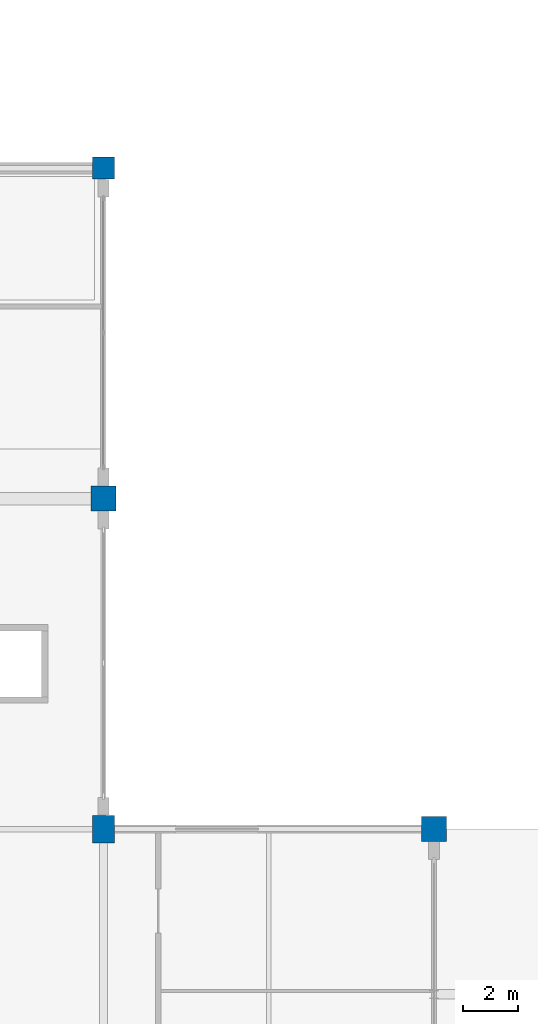
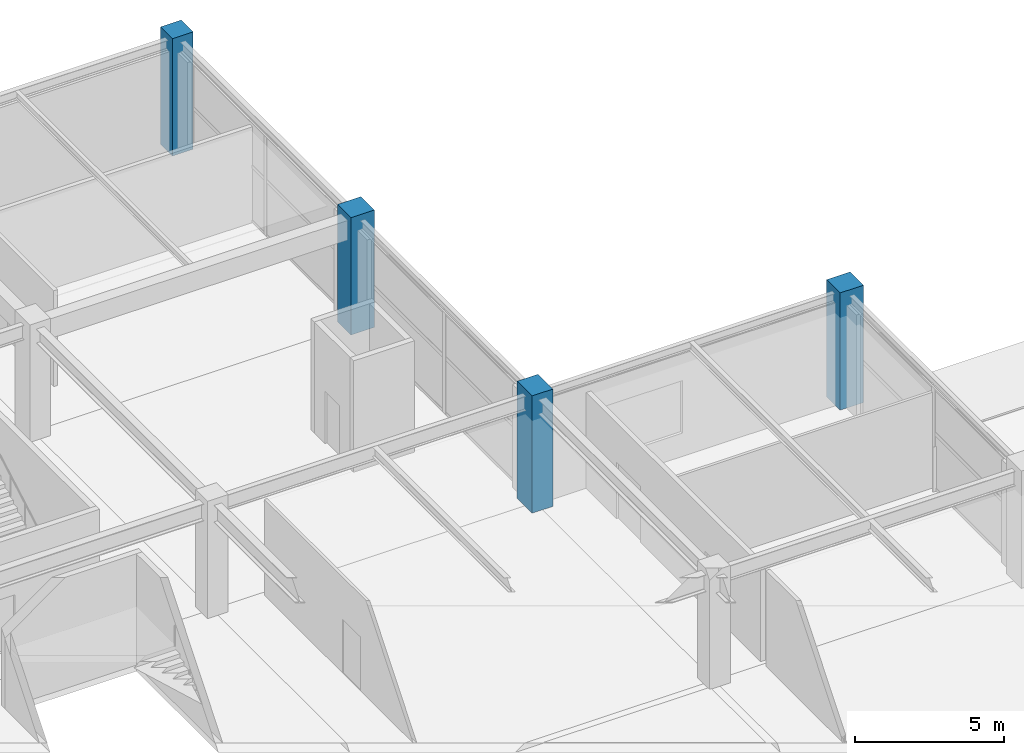
# One storey, part 4 of 134: 4 columns.
"""IFC4 building model written with IfcOpenShell, lengths in metres."""

from ifc_helpers import new_model, si_unit, direction, frame, origin, origin_2d, place, context, subcontext, project, spatial, rectangle, extrude, material, material_profile, profile_set, type_object, element, save


model = new_model("IFC4")

# Units and contexts
model_context = context("Model", 3, precision=1e-05, world=origin(), true_north=direction((0.0, 1.0)))
body_context = subcontext(model_context, "Body", "Model", "MODEL_VIEW")
ifc_project = project(units=[si_unit("LENGTHUNIT", "METRE"), si_unit("AREAUNIT", "SQUARE_METRE"), si_unit("VOLUMEUNIT", "CUBIC_METRE"), si_unit("PLANEANGLEUNIT", "RADIAN"), si_unit("MASSUNIT", "GRAM", prefix="KILO")], contexts=[model_context])

# Site, building, storey
site_placement = place(None, origin())
site = spatial("IfcSite", under=ifc_project, at=site_placement, CompositionType="ELEMENT")
building_placement = place(site_placement, origin())
building = spatial("IfcBuilding", under=site, at=building_placement, Name="Kazenohara Klinker Stadium", CompositionType="ELEMENT")
storey_placement = place(building_placement, frame((0.0, 0.0, 5.39990234375)))
storey = spatial("IfcBuildingStorey", under=building, at=storey_placement, Name="L01", CompositionType="ELEMENT", Elevation=5.39990234375)

# Columns
ifc_material = material(Name="Concrete C40/50", Category="concrete")
ifc_material_profile_1 = material_profile(ifc_material, rectangle(XDim=0.800048828125, YDim=1.0, at=origin_2d()), Name="RC-COL-1000x800")
ifc_profile_set_1 = profile_set([ifc_material_profile_1], Name="Concrete C40/50")
column_type_1 = type_object("IfcColumnType", Name="COL-RC03", PredefinedType="COLUMN", material=ifc_profile_set_1)
column_1_placement = place(storey_placement, frame((200.0, 132.0, 0.0), z_axis=(0.0, 0.0, 1.0), x_axis=(1.0, 0.0, 0.0)))
element("IfcColumn", 1, at=column_1_placement, inside=storey, type_object=column_type_1, Name="Column C03 L01 17/M", PredefinedType="COLUMN", context=body_context, shape_type="SweptSolid", body=[
    extrude(rectangle(XDim=0.800048828125, YDim=1.0, at=origin_2d()), origin(), (0.0, 0.0, 1.0), 4.800048828125),
])
ifc_material_profile_2 = material_profile(ifc_material, rectangle(XDim=0.89990234375, YDim=0.89990234375, at=origin_2d()), Name="RC-COL-900x900")
ifc_profile_set_2 = profile_set([ifc_material_profile_2], Name="Concrete C40/50")
column_type_2 = type_object("IfcColumnType", Name="COL-RC04", PredefinedType="COLUMN", material=ifc_profile_set_2)
for number, where, z_axis, x_axis, name in (
    (2, (200.0, 144.0, 0.0), (0.0, 0.0, 1.0), (1.0, 0.0, 0.0), "Column C04 L01 17/N"),
    (3, (212.0, 132.0, 0.0), (0.0, 0.0, 1.0), (1.0, 0.0, 0.0), "Column C04 L01 18/M"),
):
    element("IfcColumn", number, at=place(storey_placement, frame(where, z_axis=z_axis, x_axis=x_axis)), inside=storey, type_object=column_type_2, Name=name, PredefinedType="COLUMN", context=body_context, shape_type="SweptSolid", body=[
        extrude(rectangle(XDim=0.89990234375, YDim=0.89990234375, at=origin_2d()), origin(), (0.0, 0.0, 1.0), 4.800048828125),
    ])
ifc_material_profile_3 = material_profile(ifc_material, rectangle(XDim=0.800048828125, YDim=0.800048828125, at=origin_2d()), Name="RC-COL-800x800")
ifc_profile_set_3 = profile_set([ifc_material_profile_3], Name="Concrete C40/50")
column_type_3 = type_object("IfcColumnType", Name="COL-RC05", PredefinedType="COLUMN", material=ifc_profile_set_3)
column_2_placement = place(storey_placement, frame((200.0, 156.0, 0.0), z_axis=(0.0, 0.0, 1.0), x_axis=(1.0, 0.0, 0.0)))
element("IfcColumn", 4, at=column_2_placement, inside=storey, type_object=column_type_3, Name="Column C05 L01 17/P", PredefinedType="COLUMN", context=body_context, shape_type="SweptSolid", body=[
    extrude(rectangle(XDim=0.800048828125, YDim=0.800048828125, at=origin_2d()), origin(), (0.0, 0.0, 1.0), 4.800048828125),
])

save(model, "model.ifc")
